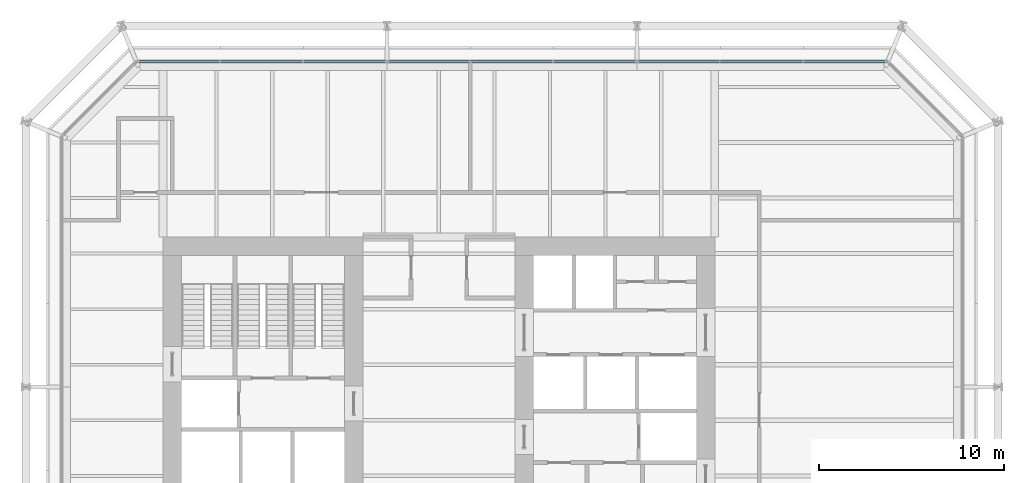
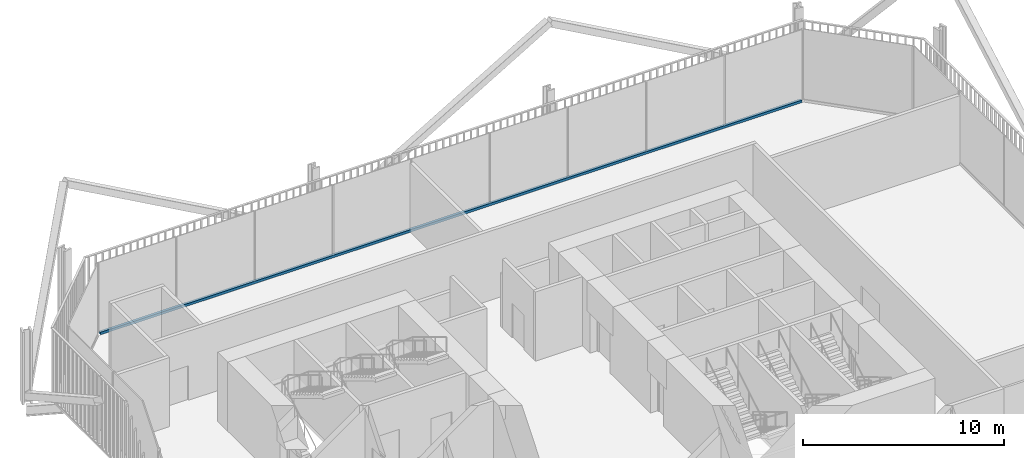
# One storey, part 13 of 21: 1 member, 1 element without a shape of its own.
"""IFC4 building model written with IfcOpenShell, lengths in metres."""

from ifc_helpers import new_model, si_unit, direction, frame, origin, origin_2d, place, context, subcontext, project, spatial, rectangle, extrude, material, layer, layer_set, material_profile, profile_set, type_object, element, aggregate, save


model = new_model("IFC4")

# Units and contexts
model_context = context("Model", 3, precision=1e-05, world=origin(), true_north=direction((0.0, 1.0)))
body_context = subcontext(model_context, "Body", "Model", "MODEL_VIEW")
ifc_project = project(units=[si_unit("LENGTHUNIT", "METRE"), si_unit("AREAUNIT", "SQUARE_METRE"), si_unit("VOLUMEUNIT", "CUBIC_METRE"), si_unit("PLANEANGLEUNIT", "RADIAN"), si_unit("MASSUNIT", "GRAM", prefix="KILO")], contexts=[model_context])

# Site, building, storey
site_placement = place(None, origin())
site = spatial("IfcSite", under=ifc_project, at=site_placement, CompositionType="ELEMENT")
building_placement = place(site_placement, origin())
building = spatial("IfcBuilding", under=site, at=building_placement, Name="Millrace Tower", CompositionType="ELEMENT")
storey_placement = place(building_placement, frame((0.0, 0.0, 104.0)))
storey = spatial("IfcBuildingStorey", under=building, at=storey_placement, Name="L23", CompositionType="ELEMENT", Elevation=104.0)

# Curtain wall, member
ifc_material_1 = material(Name="Aluminium and glass", Category="aluminium")
ifc_layer = layer(ifc_material_1, 0.14990234375)
ifc_layer_set = layer_set([ifc_layer], Name="Aluminium and glass")
curtain_wall_type = type_object("IfcCurtainWallType", Name="CW-3 telecom floor curtain wall", PredefinedType="NOTDEFINED", material=ifc_layer_set)
curtain_wall_placement = place(storey_placement, origin())
curtain_wall = element("IfcCurtainWall", 1, at=curtain_wall_placement, inside=storey, type_object=curtain_wall_type, Name="Curtain wall B-F06 L23", PredefinedType="NOTDEFINED")
ifc_material_2 = material(Name="Aluminium", Category="aluminium")
ifc_material_profile = material_profile(ifc_material_2, rectangle(XDim=0.14990234375, YDim=0.14990234375, at=origin_2d()))
ifc_profile_set = profile_set([ifc_material_profile], Name="Aluminium")
member_type = type_object("IfcMemberType", Name="CW-3 telecom floor curtain wall transom", PredefinedType="USERDEFINED", material=ifc_profile_set)
member_placement = place(storey_placement, frame((24.10009765625, 19.375, 0.074951171875), z_axis=(-1.0, 0.0, 0.0), x_axis=(0.0, -1.0, 0.0)))
member = element("IfcMember", 2, at=member_placement, type_object=member_type, Name="CW3 transom B-F06.1", ObjectType="TRANSOM", PredefinedType="USERDEFINED", context=body_context, shape_type="SweptSolid", body=[
    extrude(rectangle(XDim=0.14990234375, YDim=0.14990234375, at=origin_2d()), origin(), (0.0, 0.0, 1.0), 40.300048828125),
])
aggregate(curtain_wall, [member])

save(model, "model.ifc")
